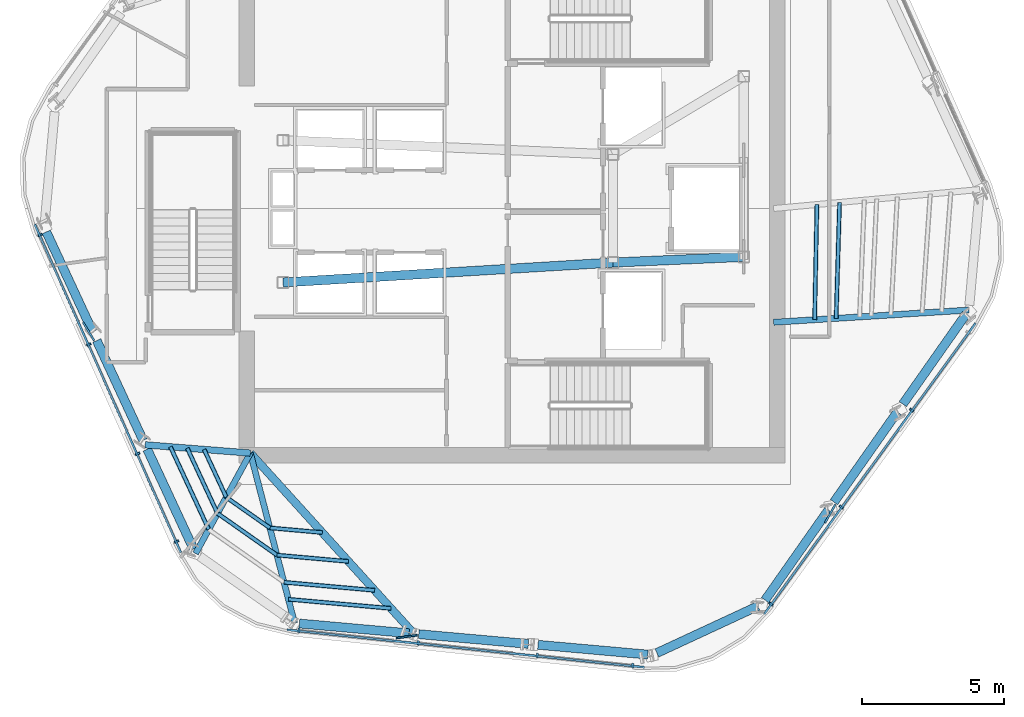
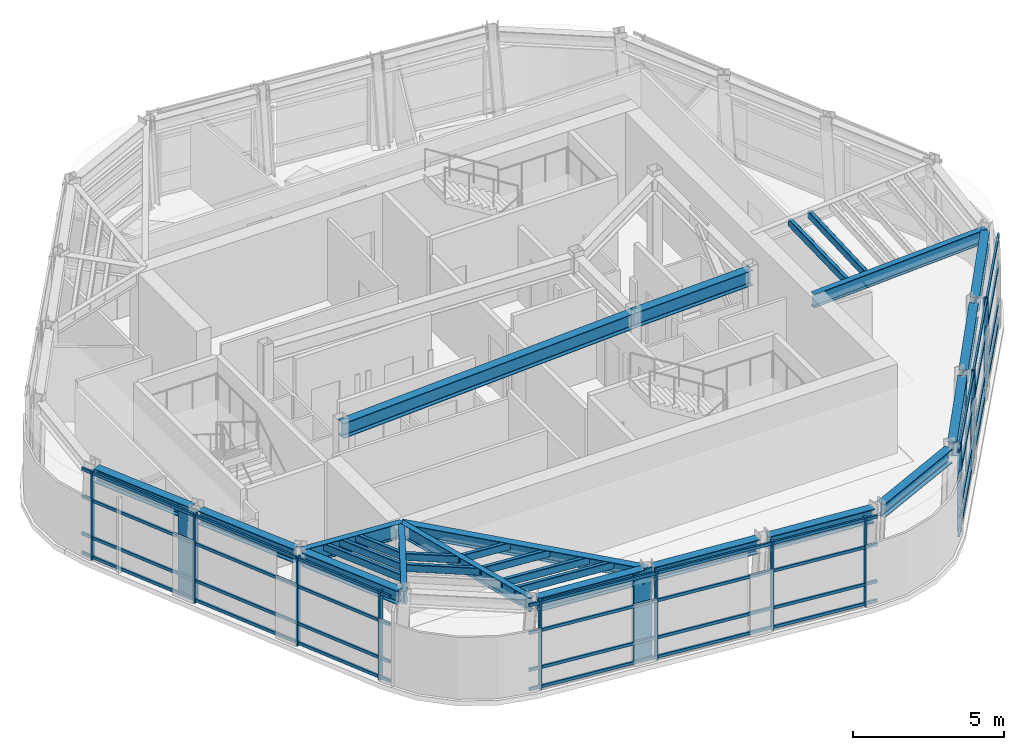
# One storey, part 2 of 12: 37 members, 17 beams, 3 elements without a shape of their own.
"""IFC4 building model written with IfcOpenShell, lengths in metres."""

from ifc_helpers import new_model, si_unit, direction, frame, origin, origin_2d, place, context, subcontext, project, spatial, rectangle, hollow_rectangle, i_section, extrude, material, layer, layer_set, material_profile, profile_set, type_object, element, aggregate, save


model = new_model("IFC4")

# Units and contexts
model_context = context("Model", 3, precision=1e-05, world=origin(), true_north=direction((0.0, 1.0)))
body_context = subcontext(model_context, "Body", "Model", "MODEL_VIEW")
ifc_project = project(units=[si_unit("LENGTHUNIT", "METRE"), si_unit("AREAUNIT", "SQUARE_METRE"), si_unit("VOLUMEUNIT", "CUBIC_METRE"), si_unit("PLANEANGLEUNIT", "RADIAN"), si_unit("MASSUNIT", "GRAM", prefix="KILO")], contexts=[model_context])

# Site, building, storey
site_placement = place(None, origin())
site = spatial("IfcSite", under=ifc_project, at=site_placement, CompositionType="ELEMENT")
building_placement = place(site_placement, origin())
building = spatial("IfcBuilding", under=site, at=building_placement, Name="Valkerne Bourse Tower", CompositionType="ELEMENT")
storey_placement = place(building_placement, frame((0.0, 0.0, 258.39990234375)))
storey = spatial("IfcBuildingStorey", under=building, at=storey_placement, Name="L65", CompositionType="ELEMENT", Elevation=258.39990234375)

# Beams
ifc_material_1 = material(Name="Steel ASTM A992", Category="steel")
ifc_material_profile_1 = material_profile(ifc_material_1, i_section(OverallWidth=0.279296875, OverallDepth=0.46240234375, WebThickness=0.0107421875, FlangeThickness=0.017333984375, FilletRadius=0.017822265625, at=origin_2d()), Name="W18X76")
ifc_profile_set_1 = profile_set([ifc_material_profile_1], Name="Steel ASTM A992")
beam_type_1 = type_object("IfcBeamType", Name="BM-W18X76", PredefinedType="BEAM", material=ifc_profile_set_1)
beam_1_placement = place(storey_placement, frame((43.351318359375, 12.048583984375, 3.368896484375), z_axis=(-0.671220654725, 0.7412576021, 0.0), x_axis=(-0.7412576021, -0.671220654725, 0.0)))
element("IfcBeam", 1, at=beam_1_placement, inside=storey, type_object=beam_type_1, Name="L65 Radial Composite Floor Beam 13", PredefinedType="BEAM", context=body_context, shape_type="SweptSolid", body=[
    extrude(i_section(OverallWidth=0.279296875, OverallDepth=0.46240234375, WebThickness=0.0107421875, FlangeThickness=0.017333984375, FilletRadius=0.017822265625, at=origin_2d()), origin(), (0.0, 0.0, 1.0), 8.568359375),
])
ifc_material_profile_2 = material_profile(ifc_material_1, i_section(OverallWidth=0.31494140625, OverallDepth=0.5537109375, WebThickness=0.0166015625, FlangeThickness=0.026123046875, FilletRadius=0.020263671875, at=origin_2d()), Name="W21X132")
ifc_profile_set_2 = profile_set([ifc_material_profile_2], Name="Steel ASTM A992")
beam_type_2 = type_object("IfcBeamType", Name="BM-W21X132", PredefinedType="BEAM", material=ifc_profile_set_2)
beam_2_placement = place(storey_placement, frame((30.425537109375, 26.17724609375, 3.3232421875), z_axis=(0.42107240202, -0.907027029508, 0.0), x_axis=(0.907027029508, 0.42107240202, 0.0)))
element("IfcBeam", 2, at=beam_2_placement, inside=storey, type_object=beam_type_2, Name="L65 Hexagonal Spandrel Ring Beam 08", PredefinedType="BEAM", context=body_context, shape_type="SweptSolid", body=[
    extrude(i_section(OverallWidth=0.31494140625, OverallDepth=0.5537109375, WebThickness=0.0166015625, FlangeThickness=0.026123046875, FilletRadius=0.020263671875, at=origin_2d()), origin(), (0.0, 0.0, 1.0), 3.8720703125),
])
for number, where, z_axis, x_axis, name in (
    (3, (32.198974609375, 22.356689453125, 3.3232421875), (0.421020525824, -0.907051110376, 0.0), (0.907051110376, 0.421020525824, 0.0), "L65 Hexagonal Spandrel Ring Beam 09"),
    (4, (33.972412109375, 18.536376953125, 3.3232421875), (0.421020525824, -0.907051110376, 0.0), (0.907051110376, 0.421020525824, 0.0), "L65 Hexagonal Spandrel Ring Beam 10"),
):
    element("IfcBeam", number, at=place(storey_placement, frame(where, z_axis=z_axis, x_axis=x_axis)), inside=storey, type_object=beam_type_2, Name=name, PredefinedType="BEAM", context=body_context, shape_type="SweptSolid", body=[
        extrude(i_section(OverallWidth=0.31494140625, OverallDepth=0.5537109375, WebThickness=0.0166015625, FlangeThickness=0.026123046875, FilletRadius=0.020263671875, at=origin_2d()), origin(), (0.0, 0.0, 1.0), 3.871826171875),
    ])
for number, where, z_axis, x_axis, name in (
    (5, (39.3251953125, 12.407958984375, 3.3232421875), (0.996040198299, -0.088904012129, 0.0), (0.088904012129, 0.996040198299, 0.0), "L65 Hexagonal Spandrel Ring Beam 12"),
    (6, (43.5205078125, 12.033447265625, 3.3232421875), (0.996040198299, -0.088904012129, 0.0), (0.088904012129, 0.996040198299, 0.0), "L65 Hexagonal Spandrel Ring Beam 13"),
    (7, (47.7158203125, 11.6591796875, 3.3232421875), (0.996040198299, -0.088904012129, 0.0), (0.088904012129, 0.996040198299, 0.0), "L65 Hexagonal Spandrel Ring Beam 14"),
):
    element("IfcBeam", number, at=place(storey_placement, frame(where, z_axis=z_axis, x_axis=x_axis)), inside=storey, type_object=beam_type_2, Name=name, PredefinedType="BEAM", context=body_context, shape_type="SweptSolid", body=[
        extrude(i_section(OverallWidth=0.31494140625, OverallDepth=0.5537109375, WebThickness=0.0166015625, FlangeThickness=0.026123046875, FilletRadius=0.020263671875, at=origin_2d()), origin(), (0.0, 0.0, 1.0), 3.8720703125),
    ])
beam_3_placement = place(storey_placement, frame((51.89599609375, 11.371337890625, 3.3232421875), z_axis=(0.907042984844, 0.421038031114, 0.0), x_axis=(-0.421038031114, 0.907042984844, 0.0)))
element("IfcBeam", 8, at=beam_3_placement, inside=storey, type_object=beam_type_2, Name="L65 Hexagonal Spandrel Ring Beam 15", PredefinedType="BEAM", context=body_context, shape_type="SweptSolid", body=[
    extrude(i_section(OverallWidth=0.31494140625, OverallDepth=0.5537109375, WebThickness=0.0166015625, FlangeThickness=0.026123046875, FilletRadius=0.020263671875, at=origin_2d()), origin(), (0.0, 0.0, 1.0), 3.915771484375),
])
beam_4_placement = place(storey_placement, frame((55.69970703125, 13.230712890625, 3.3232421875), z_axis=(0.575005980891, 0.818149205182, 0.0), x_axis=(-0.818149205182, 0.575005980891, 0.0)))
element("IfcBeam", 9, at=beam_4_placement, inside=storey, type_object=beam_type_2, Name="L65 Hexagonal Spandrel Ring Beam 16", PredefinedType="BEAM", context=body_context, shape_type="SweptSolid", body=[
    extrude(i_section(OverallWidth=0.31494140625, OverallDepth=0.5537109375, WebThickness=0.0166015625, FlangeThickness=0.026123046875, FilletRadius=0.020263671875, at=origin_2d()), origin(), (0.0, 0.0, 1.0), 3.871826171875),
])
beam_5_placement = place(storey_placement, frame((58.12158203125, 16.6767578125, 3.3232421875), z_axis=(0.575048186148, 0.818119541148, 0.0), x_axis=(-0.818119541148, 0.575048186148, 0.0)))
element("IfcBeam", 10, at=beam_5_placement, inside=storey, type_object=beam_type_2, Name="L65 Hexagonal Spandrel Ring Beam 17", PredefinedType="BEAM", context=body_context, shape_type="SweptSolid", body=[
    extrude(i_section(OverallWidth=0.31494140625, OverallDepth=0.5537109375, WebThickness=0.0166015625, FlangeThickness=0.026123046875, FilletRadius=0.020263671875, at=origin_2d()), origin(), (0.0, 0.0, 1.0), 3.8720703125),
])
beam_6_placement = place(storey_placement, frame((60.543701171875, 20.122802734375, 3.3232421875), z_axis=(0.575005980891, 0.818149205182, 0.0), x_axis=(-0.818149205182, 0.575005980891, 0.0)))
element("IfcBeam", 11, at=beam_6_placement, inside=storey, type_object=beam_type_2, Name="L65 Hexagonal Spandrel Ring Beam 18", PredefinedType="BEAM", context=body_context, shape_type="SweptSolid", body=[
    extrude(i_section(OverallWidth=0.31494140625, OverallDepth=0.5537109375, WebThickness=0.0166015625, FlangeThickness=0.026123046875, FilletRadius=0.020263671875, at=origin_2d()), origin(), (0.0, 0.0, 1.0), 3.871826171875),
])
ifc_material_profile_3 = material_profile(ifc_material_1, i_section(OverallWidth=0.209228515625, OverallDepth=0.533447265625, WebThickness=0.01025390625, FlangeThickness=0.015625, FilletRadius=0.017822265625, at=origin_2d()), Name="W21X62")
ifc_profile_set_3 = profile_set([ifc_material_profile_3], Name="Steel ASTM A992")
beam_type_3 = type_object("IfcBeamType", Name="BM-W21X62", PredefinedType="JOIST", material=ifc_profile_set_3)
beam_7_placement = place(storey_placement, frame((39.156005859375, 12.423095703125, 3.33349609375), z_axis=(-0.251927838021, 0.967746022689, 0.0), x_axis=(-0.967746022689, -0.251927838021, 0.0)))
element("IfcBeam", 12, at=beam_7_placement, inside=storey, type_object=beam_type_3, Name="L65 Radial Composite Floor Beam 12", PredefinedType="JOIST", context=body_context, shape_type="SweptSolid", body=[
    extrude(i_section(OverallWidth=0.209228515625, OverallDepth=0.533447265625, WebThickness=0.01025390625, FlangeThickness=0.015625, FilletRadius=0.017822265625, at=origin_2d()), origin(), (0.0, 0.0, 1.0), 6.176025390625),
])
ifc_material_profile_4 = material_profile(ifc_material_1, i_section(OverallWidth=0.2138671875, OverallDepth=0.548583984375, WebThickness=0.0146484375, FlangeThickness=0.023681640625, FilletRadius=0.017822265625, at=origin_2d()), Name="W21X93")
ifc_profile_set_4 = profile_set([ifc_material_profile_4], Name="Steel ASTM A992")
beam_type_4 = type_object("IfcBeamType", Name="BM-W21X93", PredefinedType="BEAM", material=ifc_profile_set_4)
beam_8_placement = place(storey_placement, frame((35.67431640625, 14.8701171875, 3.32568359375), z_axis=(0.478937209847, 0.877849160747, 0.0), x_axis=(-0.877849160747, 0.478937209847, 0.0)))
element("IfcBeam", 13, at=beam_8_placement, inside=storey, type_object=beam_type_4, Name="L65 Radial Composite Floor Beam 11", PredefinedType="BEAM", context=body_context, shape_type="SweptSolid", body=[
    extrude(i_section(OverallWidth=0.2138671875, OverallDepth=0.548583984375, WebThickness=0.0146484375, FlangeThickness=0.023681640625, FilletRadius=0.017822265625, at=origin_2d()), origin(), (0.0, 0.0, 1.0), 4.02099609375),
])
beam_9_placement = place(storey_placement, frame((62.86767578125, 23.4296875, 3.32568359375), z_axis=(-0.998048434665, -0.062444551902, 0.0), x_axis=(0.062444551902, -0.998048434665, 0.0)))
element("IfcBeam", 14, at=beam_9_placement, inside=storey, type_object=beam_type_4, Name="L65 Radial Composite Floor Beam 19", PredefinedType="BEAM", context=body_context, shape_type="SweptSolid", body=[
    extrude(i_section(OverallWidth=0.2138671875, OverallDepth=0.548583984375, WebThickness=0.0146484375, FlangeThickness=0.023681640625, FilletRadius=0.017822265625, at=origin_2d()), origin(), (0.0, 0.0, 1.0), 6.881103515625),
])
ifc_material_profile_5 = material_profile(ifc_material_1, i_section(OverallWidth=0.3251953125, OverallDepth=0.612060546875, WebThickness=0.0126953125, FlangeThickness=0.01904296875, FilletRadius=0.020263671875, at=origin_2d()), Name="W24X104")
ifc_profile_set_5 = profile_set([ifc_material_profile_5], Name="Steel ASTM A992")
beam_type_5 = type_object("IfcBeamType", Name="BM-W24X104", PredefinedType="BEAM", material=ifc_profile_set_5)
beam_10_placement = place(storey_placement, frame((50.35009765625, 25.10009765625, 3.2939453125), z_axis=(0.999056558506, 0.043428019819, 0.0), x_axis=(-0.043428019819, 0.999056558506, 0.0)))
element("IfcBeam", 15, at=beam_10_placement, inside=storey, type_object=beam_type_5, Name="L65 Core Frame Girder CG-SE", PredefinedType="BEAM", context=body_context, shape_type="SweptSolid", body=[
    extrude(i_section(OverallWidth=0.3251953125, OverallDepth=0.612060546875, WebThickness=0.0126953125, FlangeThickness=0.01904296875, FilletRadius=0.020263671875, at=origin_2d()), origin(), (0.0, 0.0, 1.0), 4.604248046875),
])
beam_11_placement = place(storey_placement, frame((38.75, 24.39990234375, 3.2939453125), z_axis=(0.998183228389, 0.060251494276, 0.0), x_axis=(-0.060251494276, 0.998183228389, 0.0)))
element("IfcBeam", 16, at=beam_11_placement, inside=storey, type_object=beam_type_5, Name="L65 Core Frame Girder CG-SW", PredefinedType="BEAM", context=body_context, shape_type="SweptSolid", body=[
    extrude(i_section(OverallWidth=0.3251953125, OverallDepth=0.612060546875, WebThickness=0.0126953125, FlangeThickness=0.01904296875, FilletRadius=0.020263671875, at=origin_2d()), origin(), (0.0, 0.0, 1.0), 11.62109375),
])
ifc_material_profile_6 = material_profile(ifc_material_1, i_section(OverallWidth=0.228271484375, OverallDepth=0.607177734375, WebThickness=0.01123046875, FlangeThickness=0.017333984375, FilletRadius=0.017822265625, at=origin_2d()), Name="W24X76")
ifc_profile_set_6 = profile_set([ifc_material_profile_6], Name="Steel ASTM A992")
beam_type_6 = type_object("IfcBeamType", Name="BM-W24X76", PredefinedType="JOIST", material=ifc_profile_set_6)
beam_12_placement = place(storey_placement, frame((33.90087890625, 18.6904296875, 3.296630859375), z_axis=(0.996930125859, -0.078296386601, 0.0), x_axis=(0.078296386601, 0.996930125859, 0.0)))
element("IfcBeam", 17, at=beam_12_placement, inside=storey, type_object=beam_type_6, Name="L65 Radial Composite Floor Beam 10", PredefinedType="JOIST", context=body_context, shape_type="SweptSolid", body=[
    extrude(i_section(OverallWidth=0.228271484375, OverallDepth=0.607177734375, WebThickness=0.01123046875, FlangeThickness=0.017333984375, FilletRadius=0.017822265625, at=origin_2d()), origin(), (0.0, 0.0, 1.0), 3.710693359375),
])

# Curtain wall, members
ifc_material_2 = material(Name="Aluminium AA 6063-T6", Category="aluminium")
ifc_layer = layer(ifc_material_2, 0.2451171875)
ifc_layer_set = layer_set([ifc_layer], Name="Aluminium AA 6063-T6")
curtain_wall_type = type_object("IfcCurtainWallType", Name="CW-05", PredefinedType="NOTDEFINED", material=ifc_layer_set)
curtain_wall_1_placement = place(storey_placement, origin())
curtain_wall_1 = element("IfcCurtainWall", 18, at=curtain_wall_1_placement, inside=storey, type_object=curtain_wall_type, Name="L65 Hexagonal Stick Curtain Wall Face 3", PredefinedType="NOTDEFINED")
ifc_material_profile_7 = material_profile(ifc_material_2, rectangle(XDim=0.074951171875, YDim=0.159912109375, at=origin_2d()), Name="CWM-75X160")
ifc_profile_set_7 = profile_set([ifc_material_profile_7], Name="Aluminium AA 6063-T6")
member_type_1 = type_object("IfcMemberType", Name="CW-MUL-160X75", PredefinedType="MULLION", material=ifc_profile_set_7)
member_1_placement = place(storey_placement, frame((30.205810546875, 26.06787109375, 0.0), z_axis=(0.0, 0.0, 1.0), x_axis=(0.406737542976, -0.913545056981, 0.0)))
member_1 = element("IfcMember", 19, at=member_1_placement, type_object=member_type_1, Name="CW-L65-F3 Jamb Mullion 00A", PredefinedType="MULLION", context=body_context, shape_type="SweptSolid", body=[
    extrude(rectangle(XDim=0.074951171875, YDim=0.159912109375, at=origin_2d()), origin(), (0.0, 0.0, 1.0), 3.60009765625),
])
member_2_placement = place(storey_placement, frame((31.9189453125, 22.219970703125, 0.0), z_axis=(0.0, 0.0, 1.0), x_axis=(0.406726550532, -0.913549951066, 0.0)))
member_2 = element("IfcMember", 20, at=member_2_placement, type_object=member_type_1, Name="CW-L65-F3 Jamb Mullion 01A", PredefinedType="MULLION", context=body_context, shape_type="SweptSolid", body=[
    extrude(rectangle(XDim=0.074951171875, YDim=0.159912109375, at=origin_2d()), origin(), (0.0, 0.0, 1.0), 3.60009765625),
])
member_3_placement = place(storey_placement, frame((33.632080078125, 18.372314453125, 0.0), z_axis=(0.0, 0.0, 1.0), x_axis=(0.406737542976, -0.913545056981, 0.0)))
member_3 = element("IfcMember", 21, at=member_3_placement, type_object=member_type_1, Name="CW-L65-F3 Jamb Mullion 02A", PredefinedType="MULLION", context=body_context, shape_type="SweptSolid", body=[
    extrude(rectangle(XDim=0.074951171875, YDim=0.159912109375, at=origin_2d()), origin(), (0.0, 0.0, 1.0), 3.60009765625),
])
member_4_placement = place(storey_placement, frame((35.003662109375, 15.291748046875, 0.0), z_axis=(0.0, 0.0, 1.0), x_axis=(0.406737542976, -0.913545056981, 0.0)))
member_4 = element("IfcMember", 22, at=member_4_placement, type_object=member_type_1, Name="CW-L65-F3 Jamb Mullion 02B", PredefinedType="MULLION", context=body_context, shape_type="SweptSolid", body=[
    extrude(rectangle(XDim=0.074951171875, YDim=0.159912109375, at=origin_2d()), origin(), (0.0, 0.0, 1.0), 3.60009765625),
])

curtain_wall_2_placement = place(storey_placement, origin())
curtain_wall_2 = element("IfcCurtainWall", 23, at=curtain_wall_2_placement, inside=storey, type_object=curtain_wall_type, Name="L65 Hexagonal Stick Curtain Wall Face 4", PredefinedType="NOTDEFINED")
member_5_placement = place(storey_placement, frame((39.31005859375, 12.162841796875, 0.0), z_axis=(0.0, 0.0, 1.0), x_axis=(0.994523650821, -0.104511759904, 0.0)))
member_5 = element("IfcMember", 24, at=member_5_placement, type_object=member_type_1, Name="CW-L65-F4 Jamb Mullion 00A", PredefinedType="MULLION", context=body_context, shape_type="SweptSolid", body=[
    extrude(rectangle(XDim=0.074951171875, YDim=0.159912109375, at=origin_2d()), origin(), (0.0, 0.0, 1.0), 3.60009765625),
])
member_6_placement = place(storey_placement, frame((43.4990234375, 11.72265625, 0.0), z_axis=(0.0, 0.0, 1.0), x_axis=(0.994521442263, -0.104532774186, 0.0)))
member_6 = element("IfcMember", 25, at=member_6_placement, type_object=member_type_1, Name="CW-L65-F4 Jamb Mullion 01A", PredefinedType="MULLION", context=body_context, shape_type="SweptSolid", body=[
    extrude(rectangle(XDim=0.074951171875, YDim=0.159912109375, at=origin_2d()), origin(), (0.0, 0.0, 1.0), 3.60009765625),
])
member_7_placement = place(storey_placement, frame((47.68798828125, 11.282470703125, 0.0), z_axis=(0.0, 0.0, 1.0), x_axis=(0.994521182832, -0.104535242377, 0.0)))
member_7 = element("IfcMember", 26, at=member_7_placement, type_object=member_type_1, Name="CW-L65-F4 Jamb Mullion 02A", PredefinedType="MULLION", context=body_context, shape_type="SweptSolid", body=[
    extrude(rectangle(XDim=0.074951171875, YDim=0.159912109375, at=origin_2d()), origin(), (0.0, 0.0, 1.0), 3.60009765625),
])
member_8_placement = place(storey_placement, frame((51.04150390625, 10.929931640625, 0.0), z_axis=(0.0, 0.0, 1.0), x_axis=(0.994521182832, -0.104535242377, 0.0)))
member_8 = element("IfcMember", 27, at=member_8_placement, type_object=member_type_1, Name="CW-L65-F4 Jamb Mullion 02B", PredefinedType="MULLION", context=body_context, shape_type="SweptSolid", body=[
    extrude(rectangle(XDim=0.074951171875, YDim=0.159912109375, at=origin_2d()), origin(), (0.0, 0.0, 1.0), 3.60009765625),
])

curtain_wall_3_placement = place(storey_placement, origin())
curtain_wall_3 = element("IfcCurtainWall", 28, at=curtain_wall_3_placement, inside=storey, type_object=curtain_wall_type, Name="L65 Hexagonal Stick Curtain Wall Face 5", PredefinedType="NOTDEFINED")
member_9_placement = place(storey_placement, frame((55.904296875, 13.094970703125, 0.0), z_axis=(0.0, 0.0, 1.0), x_axis=(0.587790486046, 0.809013191805, 0.0)))
member_9 = element("IfcMember", 29, at=member_9_placement, type_object=member_type_1, Name="CW-L65-F5 Jamb Mullion 00A", PredefinedType="MULLION", context=body_context, shape_type="SweptSolid", body=[
    extrude(rectangle(XDim=0.074951171875, YDim=0.159912109375, at=origin_2d()), origin(), (0.0, 0.0, 1.0), 3.60009765625),
])
member_10_placement = place(storey_placement, frame((58.380126953125, 16.50244140625, 0.0), z_axis=(0.0, 0.0, 1.0), x_axis=(0.587774946897, 0.809024481583, 0.0)))
member_10 = element("IfcMember", 30, at=member_10_placement, type_object=member_type_1, Name="CW-L65-F5 Jamb Mullion 01A", PredefinedType="MULLION", context=body_context, shape_type="SweptSolid", body=[
    extrude(rectangle(XDim=0.074951171875, YDim=0.159912109375, at=origin_2d()), origin(), (0.0, 0.0, 1.0), 3.60009765625),
])
member_11_placement = place(storey_placement, frame((60.855712890625, 19.91015625, 0.0), z_axis=(0.0, 0.0, 1.0), x_axis=(0.587790486046, 0.809013191805, 0.0)))
member_11 = element("IfcMember", 31, at=member_11_placement, type_object=member_type_1, Name="CW-L65-F5 Jamb Mullion 02A", PredefinedType="MULLION", context=body_context, shape_type="SweptSolid", body=[
    extrude(rectangle(XDim=0.074951171875, YDim=0.159912109375, at=origin_2d()), origin(), (0.0, 0.0, 1.0), 3.60009765625),
])

# Member
ifc_material_profile_8 = material_profile(ifc_material_2, rectangle(XDim=0.074951171875, YDim=0.1201171875, at=origin_2d()), Name="CWT-75X120")
ifc_profile_set_8 = profile_set([ifc_material_profile_8], Name="Aluminium AA 6063-T6")
member_type_2 = type_object("IfcMemberType", Name="CW-TRN-120X75", PredefinedType="USERDEFINED", material=ifc_profile_set_8)
member_12_placement = place(storey_placement, frame((30.0166015625, 26.443603515625, 0.1201171875), z_axis=(0.406724583035, -0.913550827023, 0.0), x_axis=(0.913550827023, 0.406724583035, 0.0)))
member_12 = element("IfcMember", 32, at=member_12_placement, type_object=member_type_2, Name="CW-L65-F3 Continuous Face Transom 1", ObjectType="TRANSOM", PredefinedType="USERDEFINED", context=body_context, shape_type="SweptSolid", body=[
    extrude(rectangle(XDim=0.074951171875, YDim=0.1201171875, at=origin_2d()), origin(), (0.0, 0.0, 1.0), 12.635986328125),
])

member_13_placement = place(storey_placement, frame((30.0166015625, 26.443603515625, 0.900146484375), z_axis=(0.406724583035, -0.913550827023, 0.0), x_axis=(0.913550827023, 0.406724583035, 0.0)))
member_13 = element("IfcMember", 33, at=member_13_placement, type_object=member_type_2, Name="CW-L65-F3 Continuous Face Transom 2", ObjectType="TRANSOM", PredefinedType="USERDEFINED", context=body_context, shape_type="SweptSolid", body=[
    extrude(rectangle(XDim=0.074951171875, YDim=0.1201171875, at=origin_2d()), origin(), (0.0, 0.0, 1.0), 12.635986328125),
])

member_14_placement = place(storey_placement, frame((30.0166015625, 26.443603515625, 2.400146484375), z_axis=(0.406724583035, -0.913550827023, 0.0), x_axis=(0.913550827023, 0.406724583035, 0.0)))
member_14 = element("IfcMember", 34, at=member_14_placement, type_object=member_type_2, Name="CW-L65-F3 Continuous Face Transom 3", ObjectType="TRANSOM", PredefinedType="USERDEFINED", context=body_context, shape_type="SweptSolid", body=[
    extrude(rectangle(XDim=0.074951171875, YDim=0.1201171875, at=origin_2d()), origin(), (0.0, 0.0, 1.0), 12.635986328125),
])

member_15_placement = place(storey_placement, frame((30.0166015625, 26.443603515625, 3.52001953125), z_axis=(0.406724583035, -0.913550827023, 0.0), x_axis=(0.913550827023, 0.406724583035, 0.0)))
member_15 = element("IfcMember", 35, at=member_15_placement, type_object=member_type_2, Name="CW-L65-F3 Continuous Face Transom 4", ObjectType="TRANSOM", PredefinedType="USERDEFINED", context=body_context, shape_type="SweptSolid", body=[
    extrude(rectangle(XDim=0.074951171875, YDim=0.1201171875, at=origin_2d()), origin(), (0.0, 0.0, 1.0), 12.635986328125),
])

aggregate(curtain_wall_1, [member_12, member_13, member_14, member_15, member_1, member_2, member_3, member_4])

member_16_placement = place(storey_placement, frame((38.890380859375, 12.18701171875, 0.1201171875), z_axis=(0.994521956231, -0.104527884196, 0.0), x_axis=(0.104527884196, 0.994521956231, 0.0)))
member_16 = element("IfcMember", 36, at=member_16_placement, type_object=member_type_2, Name="CW-L65-F4 Continuous Face Transom 1", ObjectType="TRANSOM", PredefinedType="USERDEFINED", context=body_context, shape_type="SweptSolid", body=[
    extrude(rectangle(XDim=0.074951171875, YDim=0.1201171875, at=origin_2d()), origin(), (0.0, 0.0, 1.0), 12.635986328125),
])

member_17_placement = place(storey_placement, frame((38.890380859375, 12.18701171875, 0.900146484375), z_axis=(0.994521956231, -0.104527884196, 0.0), x_axis=(0.104527884196, 0.994521956231, 0.0)))
member_17 = element("IfcMember", 37, at=member_17_placement, type_object=member_type_2, Name="CW-L65-F4 Continuous Face Transom 2", ObjectType="TRANSOM", PredefinedType="USERDEFINED", context=body_context, shape_type="SweptSolid", body=[
    extrude(rectangle(XDim=0.074951171875, YDim=0.1201171875, at=origin_2d()), origin(), (0.0, 0.0, 1.0), 12.635986328125),
])

member_18_placement = place(storey_placement, frame((38.890380859375, 12.18701171875, 2.400146484375), z_axis=(0.994521956231, -0.104527884196, 0.0), x_axis=(0.104527884196, 0.994521956231, 0.0)))
member_18 = element("IfcMember", 38, at=member_18_placement, type_object=member_type_2, Name="CW-L65-F4 Continuous Face Transom 3", ObjectType="TRANSOM", PredefinedType="USERDEFINED", context=body_context, shape_type="SweptSolid", body=[
    extrude(rectangle(XDim=0.074951171875, YDim=0.1201171875, at=origin_2d()), origin(), (0.0, 0.0, 1.0), 12.635986328125),
])

member_19_placement = place(storey_placement, frame((38.890380859375, 12.18701171875, 3.52001953125), z_axis=(0.994521956231, -0.104527884196, 0.0), x_axis=(0.104527884196, 0.994521956231, 0.0)))
member_19 = element("IfcMember", 39, at=member_19_placement, type_object=member_type_2, Name="CW-L65-F4 Continuous Face Transom 4", ObjectType="TRANSOM", PredefinedType="USERDEFINED", context=body_context, shape_type="SweptSolid", body=[
    extrude(rectangle(XDim=0.074951171875, YDim=0.1201171875, at=origin_2d()), origin(), (0.0, 0.0, 1.0), 12.635986328125),
])

aggregate(curtain_wall_2, [member_16, member_17, member_18, member_19, member_5, member_6, member_7, member_8])

member_20_placement = place(storey_placement, frame((55.673583984375, 12.743408203125, 0.1201171875), z_axis=(0.58777873628, 0.809021728495, 0.0), x_axis=(-0.809021728495, 0.58777873628, 0.0)))
member_20 = element("IfcMember", 40, at=member_20_placement, type_object=member_type_2, Name="CW-L65-F5 Continuous Face Transom 1", ObjectType="TRANSOM", PredefinedType="USERDEFINED", context=body_context, shape_type="SweptSolid", body=[
    extrude(rectangle(XDim=0.074951171875, YDim=0.1201171875, at=origin_2d()), origin(), (0.0, 0.0, 1.0), 12.63623046875),
])

member_21_placement = place(storey_placement, frame((55.673583984375, 12.743408203125, 0.900146484375), z_axis=(0.58777873628, 0.809021728495, 0.0), x_axis=(-0.809021728495, 0.58777873628, 0.0)))
member_21 = element("IfcMember", 41, at=member_21_placement, type_object=member_type_2, Name="CW-L65-F5 Continuous Face Transom 2", ObjectType="TRANSOM", PredefinedType="USERDEFINED", context=body_context, shape_type="SweptSolid", body=[
    extrude(rectangle(XDim=0.074951171875, YDim=0.1201171875, at=origin_2d()), origin(), (0.0, 0.0, 1.0), 12.63623046875),
])

member_22_placement = place(storey_placement, frame((55.673583984375, 12.743408203125, 2.400146484375), z_axis=(0.58777873628, 0.809021728495, 0.0), x_axis=(-0.809021728495, 0.58777873628, 0.0)))
member_22 = element("IfcMember", 42, at=member_22_placement, type_object=member_type_2, Name="CW-L65-F5 Continuous Face Transom 3", ObjectType="TRANSOM", PredefinedType="USERDEFINED", context=body_context, shape_type="SweptSolid", body=[
    extrude(rectangle(XDim=0.074951171875, YDim=0.1201171875, at=origin_2d()), origin(), (0.0, 0.0, 1.0), 12.63623046875),
])

member_23_placement = place(storey_placement, frame((55.673583984375, 12.743408203125, 3.52001953125), z_axis=(0.58777873628, 0.809021728495, 0.0), x_axis=(-0.809021728495, 0.58777873628, 0.0)))
member_23 = element("IfcMember", 43, at=member_23_placement, type_object=member_type_2, Name="CW-L65-F5 Continuous Face Transom 4", ObjectType="TRANSOM", PredefinedType="USERDEFINED", context=body_context, shape_type="SweptSolid", body=[
    extrude(rectangle(XDim=0.074951171875, YDim=0.1201171875, at=origin_2d()), origin(), (0.0, 0.0, 1.0), 12.63623046875),
])

aggregate(curtain_wall_3, [member_20, member_21, member_22, member_23, member_9, member_10, member_11])

# Members
ifc_material_3 = material(Name="Bronze Anodised Aluminium AA 6063-T6", Category="aluminium")
ifc_material_profile_9 = material_profile(ifc_material_3, rectangle(XDim=0.06494140625, YDim=0.75, at=origin_2d()), Name="FIN-65X750")
ifc_profile_set_9 = profile_set([ifc_material_profile_9], Name="Bronze Anodised Aluminium AA 6063-T6")
member_type_3 = type_object("IfcMemberType", Name="FIN-SOLAR-650", PredefinedType="USERDEFINED", material=ifc_profile_set_9)
for number, where, z_axis, x_axis, name in (
    (44, (31.91259765625, 22.677001953125, 0.004150390625), (0.0, 0.0, 1.0), (-0.854329911462, -0.519731086604, 0.0), "L65 Bronze Anodised Solar Fin F3-01"),
    (45, (43.10009765625, 11.945556640625, 0.004150390625), (0.0, 0.0, 1.0), (0.139085918973, -0.990280317457, 0.0), "L65 Bronze Anodised Solar Fin F4-01"),
    (46, (57.987548828125, 16.2685546875, 0.004150390625), (0.0, 0.0, 1.0), (0.871905193601, -0.489674722007, 0.0), "L65 Bronze Anodised Solar Fin F5-01"),
):
    element("IfcMember", number, at=place(storey_placement, frame(where, z_axis=z_axis, x_axis=x_axis)), inside=storey, type_object=member_type_3, Name=name, ObjectType="SOLAR_FIN", PredefinedType="USERDEFINED", context=body_context, shape_type="SweptSolid", body=[
        extrude(rectangle(XDim=0.06494140625, YDim=0.75, at=origin_2d()), origin(), (0.0, 0.0, 1.0), 3.592041015625),
    ])
ifc_material_4 = material(Name="Steel ASTM A500 Grade C", Category="steel")
ifc_material_profile_10 = material_profile(ifc_material_4, hollow_rectangle(XDim=0.14990234375, YDim=0.300048828125, WallThickness=0.012451171875, OuterFilletRadius=0.02490234375, at=origin_2d()), Name="HSS300X150X12.5")
ifc_profile_set_10 = profile_set([ifc_material_profile_10], Name="Steel ASTM A500 Grade C")
member_type_4 = type_object("IfcMemberType", Name="MBR-HSS300X150X12.5", PredefinedType="PURLIN", material=ifc_profile_set_10)
member_24_placement = place(storey_placement, frame((58.19775390625, 23.137451171875, 3.440185546875), z_axis=(0.029633025005, 0.999560845486, 0.0), x_axis=(-0.999560845486, 0.029633025005, 0.0)))
element("IfcMember", 47, at=member_24_placement, inside=storey, type_object=member_type_4, Name="L65 Secondary Composite Floor Purlin I-19", PredefinedType="PURLIN", context=body_context, shape_type="SweptSolid", body=[
    extrude(hollow_rectangle(XDim=0.14990234375, YDim=0.300048828125, WallThickness=0.012451171875, OuterFilletRadius=0.02490234375, at=origin_2d()), origin(), (0.0, 0.0, 1.0), 4.078125),
])
member_25_placement = place(storey_placement, frame((35.972412109375, 18.52783203125, 3.440185546875), z_axis=(0.420995196445, -0.907062866934, 0.0), x_axis=(0.907062866934, 0.420995196445, 0.0)))
element("IfcMember", 48, at=member_25_placement, inside=storey, type_object=member_type_4, Name="L65 Secondary Composite Floor Purlin K-10", PredefinedType="PURLIN", context=body_context, shape_type="SweptSolid", body=[
    extrude(hollow_rectangle(XDim=0.14990234375, YDim=0.300048828125, WallThickness=0.012451171875, OuterFilletRadius=0.02490234375, at=origin_2d()), origin(), (0.0, 0.0, 1.0), 1.853515625),
])
member_26_placement = place(storey_placement, frame((36.752685546875, 16.8466796875, 3.440185546875), z_axis=(0.81821987875, -0.574905409627, 0.0), x_axis=(0.574905409627, 0.81821987875, 0.0)))
element("IfcMember", 49, at=member_26_placement, inside=storey, type_object=member_type_4, Name="L65 Secondary Composite Floor Purlin K-11", PredefinedType="PURLIN", context=body_context, shape_type="SweptSolid", body=[
    extrude(hollow_rectangle(XDim=0.14990234375, YDim=0.300048828125, WallThickness=0.012451171875, OuterFilletRadius=0.02490234375, at=origin_2d()), origin(), (0.0, 0.0, 1.0), 1.872314453125),
])
member_27_placement = place(storey_placement, frame((38.28466796875, 15.770263671875, 3.440185546875), z_axis=(0.996038747114, -0.088920269052, 0.0), x_axis=(0.088920269052, 0.996038747114, 0.0)))
element("IfcMember", 50, at=member_27_placement, inside=storey, type_object=member_type_4, Name="L65 Secondary Composite Floor Purlin K-12", PredefinedType="PURLIN", context=body_context, shape_type="SweptSolid", body=[
    extrude(hollow_rectangle(XDim=0.14990234375, YDim=0.300048828125, WallThickness=0.012451171875, OuterFilletRadius=0.02490234375, at=origin_2d()), origin(), (0.0, 0.0, 1.0), 1.853271484375),
])
for number, where, z_axis, x_axis, name in (
    (51, (34.78857421875, 18.620849609375, 3.440185546875), (0.421064249883, -0.907030813958, 0.0), (0.907030813958, 0.421064249883, 0.0), "L65 Secondary Composite Floor Purlin O-10"),
    (52, (38.782470703125, 13.857666015625, 3.440185546875), (0.996038187845, -0.088926533463, 0.0), (0.088926533463, 0.996038187845, 0.0), "L65 Secondary Composite Floor Purlin O-12"),
):
    element("IfcMember", number, at=place(storey_placement, frame(where, z_axis=z_axis, x_axis=x_axis)), inside=storey, type_object=member_type_4, Name=name, PredefinedType="PURLIN", context=body_context, shape_type="SweptSolid", body=[
        extrude(hollow_rectangle(XDim=0.14990234375, YDim=0.300048828125, WallThickness=0.012451171875, OuterFilletRadius=0.02490234375, at=origin_2d()), origin(), (0.0, 0.0, 1.0), 3.201171875),
    ])
member_28_placement = place(storey_placement, frame((35.380615234375, 18.57421875, 3.440185546875), z_axis=(0.421017636018, -0.907052451715, 0.0), x_axis=(0.907052451715, 0.421017636018, 0.0)))
element("IfcMember", 53, at=member_28_placement, inside=storey, type_object=member_type_4, Name="L65 Secondary Composite Floor Purlin Z-10", PredefinedType="PURLIN", context=body_context, shape_type="SweptSolid", body=[
    extrude(hollow_rectangle(XDim=0.14990234375, YDim=0.300048828125, WallThickness=0.012451171875, OuterFilletRadius=0.02490234375, at=origin_2d()), origin(), (0.0, 0.0, 1.0), 2.527099609375),
])
member_29_placement = place(storey_placement, frame((36.444580078125, 16.281982421875, 3.440185546875), z_axis=(0.818161301693, -0.574988768944, 0.0), x_axis=(0.574988768944, 0.818161301693, 0.0)))
element("IfcMember", 54, at=member_29_placement, inside=storey, type_object=member_type_4, Name="L65 Secondary Composite Floor Purlin Z-11", PredefinedType="PURLIN", context=body_context, shape_type="SweptSolid", body=[
    extrude(hollow_rectangle(XDim=0.14990234375, YDim=0.300048828125, WallThickness=0.012451171875, OuterFilletRadius=0.02490234375, at=origin_2d()), origin(), (0.0, 0.0, 1.0), 2.55322265625),
])
member_30_placement = place(storey_placement, frame((38.533447265625, 14.81396484375, 3.440185546875), z_axis=(0.996034495898, -0.088967876125, 0.0), x_axis=(0.088967876125, 0.996034495898, 0.0)))
element("IfcMember", 55, at=member_30_placement, inside=storey, type_object=member_type_4, Name="L65 Secondary Composite Floor Purlin Z-12", PredefinedType="PURLIN", context=body_context, shape_type="SweptSolid", body=[
    extrude(hollow_rectangle(XDim=0.14990234375, YDim=0.300048828125, WallThickness=0.012451171875, OuterFilletRadius=0.02490234375, at=origin_2d()), origin(), (0.0, 0.0, 1.0), 2.52734375),
])
member_31_placement = place(storey_placement, frame((57.442138671875, 23.090087890625, 3.440185546875), z_axis=(0.01964659902, 0.999806986946, 0.0), x_axis=(-0.999806986946, 0.01964659902, 0.0)))
element("IfcMember", 56, at=member_31_placement, inside=storey, type_object=member_type_4, Name="L65 Secondary Composite Floor Purlin S-19", PredefinedType="PURLIN", context=body_context, shape_type="SweptSolid", body=[
    extrude(hollow_rectangle(XDim=0.14990234375, YDim=0.300048828125, WallThickness=0.012451171875, OuterFilletRadius=0.02490234375, at=origin_2d()), origin(), (0.0, 0.0, 1.0), 4.051025390625),
])
member_32_placement = place(storey_placement, frame((38.93798828125, 13.260009765625, 3.440185546875), z_axis=(0.996035039758, -0.088961787163, 0.0), x_axis=(0.088961787163, 0.996035039758, 0.0)))
element("IfcMember", 57, at=member_32_placement, inside=storey, type_object=member_type_4, Name="L65 Secondary Composite Floor Purlin T-12", PredefinedType="PURLIN", context=body_context, shape_type="SweptSolid", body=[
    extrude(hollow_rectangle(XDim=0.14990234375, YDim=0.300048828125, WallThickness=0.012451171875, OuterFilletRadius=0.02490234375, at=origin_2d()), origin(), (0.0, 0.0, 1.0), 3.62255859375),
])

save(model, "model.ifc")
